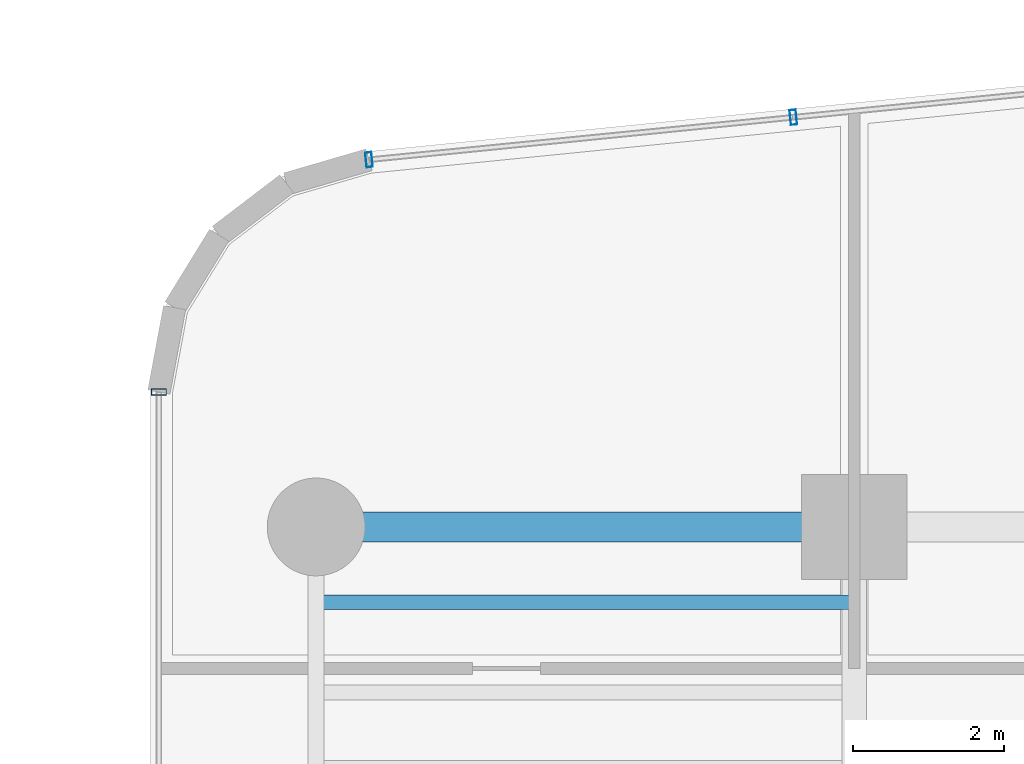
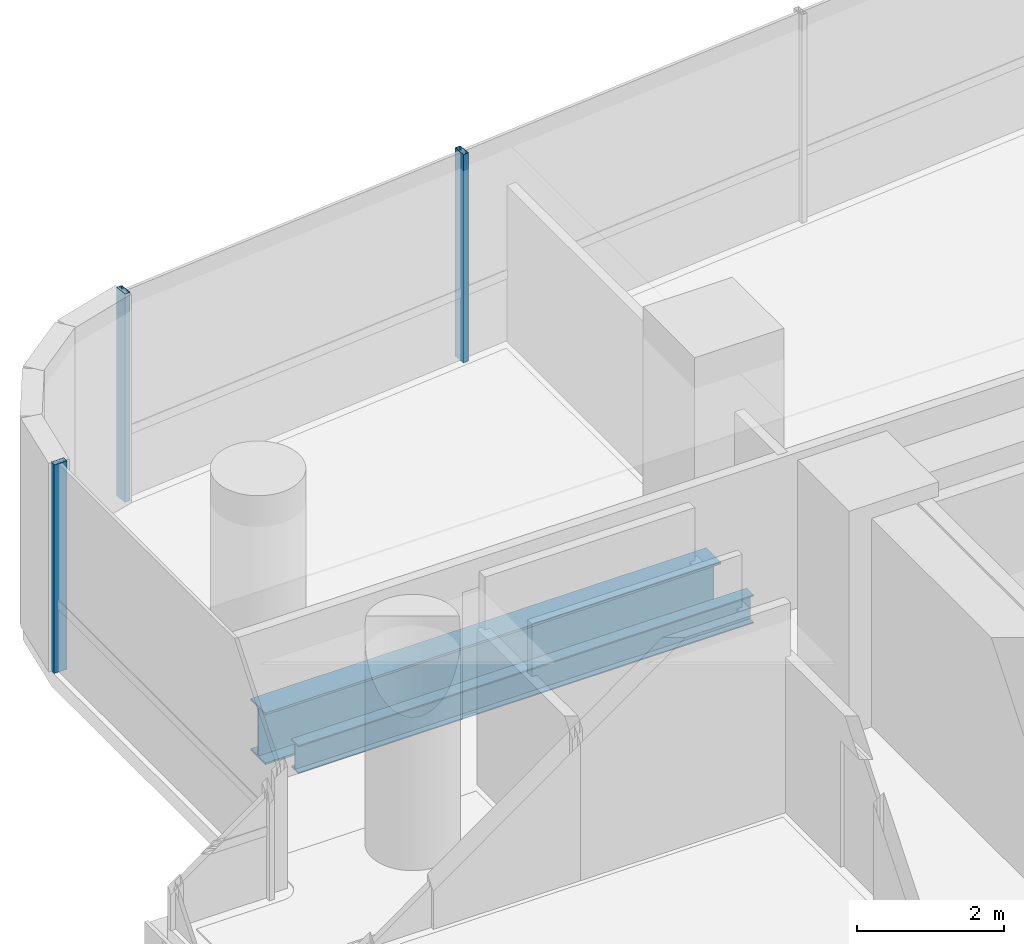
# One storey, part 17 of 38: 3 members, 2 beams, 2 elements without a shape of their own.
"""IFC4 building model written with IfcOpenShell, lengths in metres."""

from ifc_helpers import new_model, si_unit, direction, frame, origin, origin_2d, place, context, subcontext, project, spatial, hollow_rectangle, i_section, extrude, source, transform, mapped, material, material_profile, profile_set, type_object, element, aggregate, save


model = new_model("IFC4")

# Units and contexts
model_context = context("Model", 3, precision=1e-05, world=origin(), true_north=direction((0.0, 1.0)))
body_context = subcontext(model_context, "Body", "Model", "MODEL_VIEW")
ifc_project = project(units=[si_unit("LENGTHUNIT", "METRE"), si_unit("AREAUNIT", "SQUARE_METRE"), si_unit("VOLUMEUNIT", "CUBIC_METRE"), si_unit("PLANEANGLEUNIT", "RADIAN"), si_unit("MASSUNIT", "GRAM", prefix="KILO")], contexts=[model_context])

# Site, building, storey
site_placement = place(None, origin())
site = spatial("IfcSite", under=ifc_project, at=site_placement, CompositionType="ELEMENT")
building_placement = place(site_placement, origin())
building = spatial("IfcBuilding", under=site, at=building_placement, Name="Valdorenza Pilgrim Sanctuary Tower", CompositionType="ELEMENT")
storey_placement = place(building_placement, frame((0.0, 0.0, 37.10009765625)))
storey = spatial("IfcBuildingStorey", under=building, at=storey_placement, Name="L08", CompositionType="ELEMENT", Elevation=37.10009765625)

# Beams
ifc_material_1 = material(Name="Steel ASTM A992 Grade 50", Category="steel")
ifc_material_profile_1 = material_profile(ifc_material_1, i_section(OverallWidth=0.193115234375, OverallDepth=0.466064453125, WebThickness=0.011474609375, FlangeThickness=0.01904296875, at=origin_2d()), Name="W18X65")
ifc_profile_set_1 = profile_set([ifc_material_profile_1], Name="Steel ASTM A992 Grade 50")
beam_type_1 = type_object("IfcBeamType", Name="STR-BM-JST-W18A", PredefinedType="JOIST", material=ifc_profile_set_1)
shared_shape_1 = source(origin(), body_context, "Body", "SweptSolid", [
    extrude(i_section(OverallWidth=0.193115234375, OverallDepth=0.466064453125, WebThickness=0.011474609375, FlangeThickness=0.01904296875, at=origin_2d()), origin(), (0.0, 0.0, 1.0), 7.150146484375),
])
beam_1_placement = place(storey_placement, frame((-29.800048828125, 13.800048828125, -0.47314453125), z_axis=(1.0, 0.0, 0.0), x_axis=(0.0, 1.0, 0.0)))
element("IfcBeam", 1, at=beam_1_placement, inside=storey, type_object=beam_type_1, Name="L08 Composite Floor Joist JST-WA-26", PredefinedType="JOIST", context=body_context, shape_type="MappedRepresentation", body=[
    mapped(shared_shape_1, transform((0.0, 0.0, 0.0), x_axis=(1.0, 0.0, 0.0), y_axis=(0.0, 1.0, 0.0), z_axis=(0.0, 0.0, 1.0), scale=1.0)),
])
ifc_material_profile_2 = material_profile(ifc_material_1, i_section(OverallWidth=0.39990234375, OverallDepth=0.862060546875, WebThickness=0.019775390625, FlangeThickness=0.032470703125, at=origin_2d()), Name="W33X221")
ifc_profile_set_2 = profile_set([ifc_material_profile_2], Name="Steel ASTM A992 Grade 50")
beam_type_2 = type_object("IfcBeamType", Name="STR-BM-GRD-W33", PredefinedType="BEAM", material=ifc_profile_set_2)
shared_shape_2 = source(origin(), body_context, "Body", "SweptSolid", [
    extrude(i_section(OverallWidth=0.39990234375, OverallDepth=0.862060546875, WebThickness=0.019775390625, FlangeThickness=0.032470703125, at=origin_2d()), origin(), (0.0, 0.0, 1.0), 7.150146484375),
])
beam_2_placement = place(storey_placement, frame((-29.800048828125, 14.800048828125, -0.671142578125), z_axis=(1.0, 0.0, 0.0), x_axis=(0.0, 1.0, 0.0)))
element("IfcBeam", 2, at=beam_2_placement, inside=storey, type_object=beam_type_2, Name="L08 Floor Girder WA-XW-N2", PredefinedType="BEAM", context=body_context, shape_type="MappedRepresentation", body=[
    mapped(shared_shape_2, transform((0.0, 0.0, 0.0), x_axis=(1.0, 0.0, 0.0), y_axis=(0.0, 1.0, 0.0), z_axis=(0.0, 0.0, 1.0), scale=1.0)),
])

# Curtain wall, member
ifc_material_2 = material(Name="Curtain-wall IGU glazing", Category="glass")
curtain_wall_type = type_object("IfcCurtainWallType", Name="CW-SYS-02", PredefinedType="NOTDEFINED", material=ifc_material_2)
curtain_wall_1_placement = place(storey_placement, origin())
curtain_wall_1 = element("IfcCurtainWall", 3, at=curtain_wall_1_placement, inside=storey, type_object=curtain_wall_type, Name="L08 Curtain Wall CW-L08-1-1S2", PredefinedType="NOTDEFINED")
ifc_material_3 = material(Name="Anodised aluminium AW-6060", Category="aluminium")
ifc_material_profile_3 = material_profile(ifc_material_3, hollow_rectangle(XDim=0.0849609375, YDim=0.199951171875, WallThickness=0.0048828125, at=origin_2d()), Name="ALU-M 200x85x5")
ifc_profile_set_3 = profile_set([ifc_material_profile_3], Name="Anodised aluminium AW-6060")
member_type = type_object("IfcMemberType", Name="CW-MUL-02", PredefinedType="MULLION", material=ifc_profile_set_3)
shared_shape_3 = source(origin(), body_context, "Body", "SweptSolid", [
    extrude(hollow_rectangle(XDim=0.0849609375, YDim=0.199951171875, WallThickness=0.0048828125, at=origin_2d()), origin(), (0.0, 0.0, 1.0), 3.4599609375),
])
member_1_placement = place(storey_placement, frame((-31.889892578125, 16.593994140625, 0.0), z_axis=(0.0, 0.0, 1.0), x_axis=(0.0, 1.0, 0.0)))
member_1 = element("IfcMember", 4, at=member_1_placement, type_object=member_type, Name="CW-L08-1-1S2 Mullion 2", PredefinedType="MULLION", context=body_context, shape_type="MappedRepresentation", body=[
    mapped(shared_shape_3, transform((0.0, 0.0, 0.0), x_axis=(1.0, 0.0, 0.0), y_axis=(0.0, 1.0, 0.0), z_axis=(0.0, 0.0, 1.0), scale=1.0)),
])
aggregate(curtain_wall_1, [member_1])

# Curtain wall, members
curtain_wall_2_placement = place(storey_placement, origin())
curtain_wall_2 = element("IfcCurtainWall", 5, at=curtain_wall_2_placement, inside=storey, type_object=curtain_wall_type, Name="L08 Curtain Wall CW-L08-1-6", PredefinedType="NOTDEFINED")
member_2_placement = place(storey_placement, frame((-29.097412109375, 19.6796875, 0.0), z_axis=(0.0, 0.0, 1.0), x_axis=(0.995038220239, 0.099493418189, 0.0)))
member_2 = element("IfcMember", 6, at=member_2_placement, type_object=member_type, Name="CW-L08-1-6 Mullion 1", PredefinedType="MULLION", context=body_context, shape_type="MappedRepresentation", body=[
    mapped(shared_shape_3, transform((0.0, 0.0, 0.0), x_axis=(1.0, 0.0, 0.0), y_axis=(0.0, 1.0, 0.0), z_axis=(0.0, 0.0, 1.0), scale=1.0)),
])
member_3_placement = place(storey_placement, frame((-23.458984375, 20.24365234375, 0.0), z_axis=(0.0, 0.0, 1.0), x_axis=(0.995038220239, 0.099493418189, 0.0)))
member_3 = element("IfcMember", 7, at=member_3_placement, type_object=member_type, Name="CW-L08-1-6 Mullion 2", PredefinedType="MULLION", context=body_context, shape_type="MappedRepresentation", body=[
    mapped(shared_shape_3, transform((0.0, 0.0, 0.0), x_axis=(1.0, 0.0, 0.0), y_axis=(0.0, 1.0, 0.0), z_axis=(0.0, 0.0, 1.0), scale=1.0)),
])
aggregate(curtain_wall_2, [member_2, member_3])

save(model, "model.ifc")
